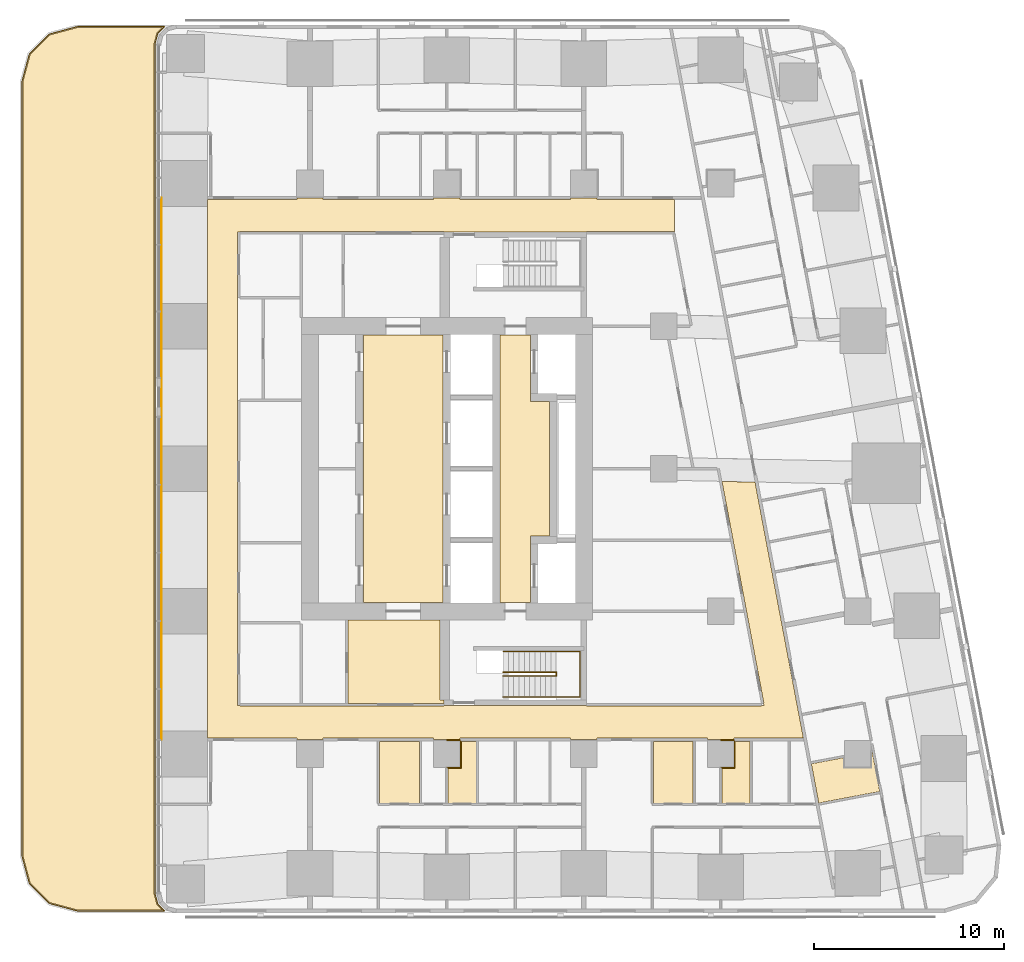
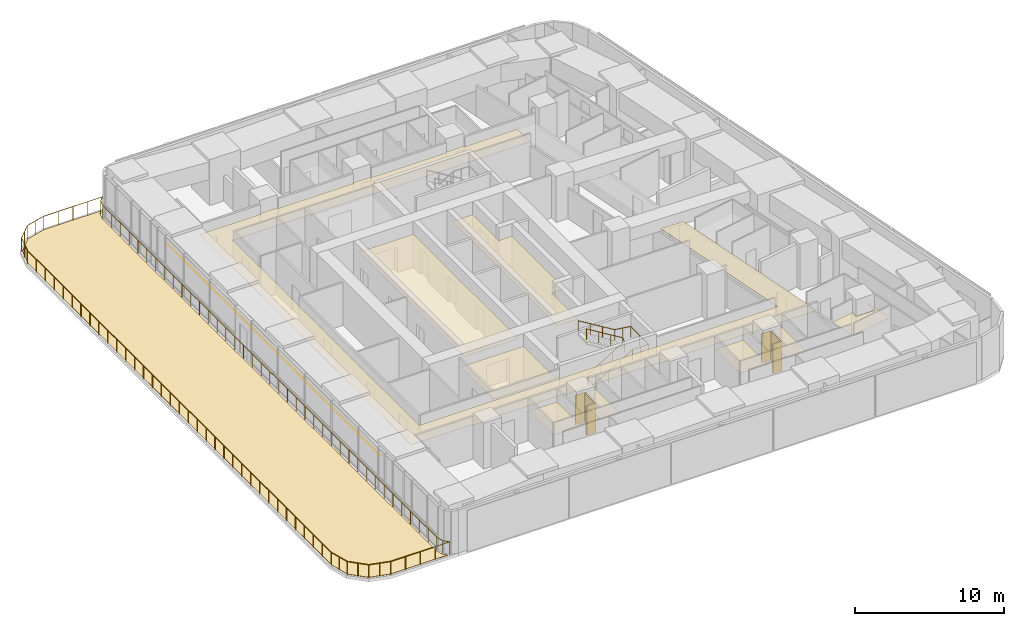
# One storey, part 16 of 17: 13 coverings, 3 railings.
"""IFC4 building model written with IfcOpenShell, lengths in metres."""

from ifc_helpers import new_model, si_unit, direction, frame, origin, origin_2d, place, context, subcontext, project, spatial, polyline, circle, outline, extrude, material, layer, layer_set, type_object, element, save


model = new_model("IFC4")

# Units and contexts
model_context = context("Model", 3, precision=1e-05, world=origin(), true_north=direction((0.0, 1.0)))
body_context = subcontext(model_context, "Body", "Model", "MODEL_VIEW")
ifc_project = project(units=[si_unit("LENGTHUNIT", "METRE"), si_unit("AREAUNIT", "SQUARE_METRE"), si_unit("VOLUMEUNIT", "CUBIC_METRE"), si_unit("PLANEANGLEUNIT", "RADIAN"), si_unit("MASSUNIT", "GRAM", prefix="KILO")], contexts=[model_context])

# Site, building, storey
site_placement = place(None, origin())
site = spatial("IfcSite", under=ifc_project, at=site_placement, CompositionType="ELEMENT")
building_placement = place(site_placement, origin())
building = spatial("IfcBuilding", under=site, at=building_placement, Name="Sheger Commons Tower", CompositionType="ELEMENT")
storey_placement = place(building_placement, frame((0.0, 0.0, 193.699951171875)))
storey = spatial("IfcBuildingStorey", under=building, at=storey_placement, Name="L49", CompositionType="ELEMENT", Elevation=193.699951171875)

# Railings
ifc_material_1 = material(Name="Black steel guard with glass infill", Category="steel")
railing_type_1 = type_object("IfcRailingType", Name="GUARD 1100", PredefinedType="GUARDRAIL", material=ifc_material_1)
railing_1_placement = place(storey_placement, frame((2.1630859375, -0.75, 0.0)))
element("IfcRailing", 1, at=railing_1_placement, inside=storey, type_object=railing_type_1, Name="Terrace guard L49", PredefinedType="GUARDRAIL", context=body_context, shape_type="SweptSolid", body=[
    extrude(circle(Radius=0.02392578125, at=origin_2d()), frame((0.0, 0.0, 1.0771484375), z_axis=(-0.965832000415, 0.259168954497, 0.0), x_axis=(-0.259168954497, -0.965832000415, 0.0)), (0.0, 0.0, 1.0), 1.512939453125),
    extrude(circle(Radius=0.02392578125, at=origin_2d()), frame((-1.461181640625, 0.39208984375, 1.0771484375), z_axis=(-0.707106781187, 0.707106781187, 0.0), x_axis=(-0.707106781187, -0.707106781187, 0.0)), (0.0, 0.0, 1.0), 1.498779296875),
    extrude(circle(Radius=0.02392578125, at=origin_2d()), frame((-2.52099609375, 1.451904296875, 1.0771484375), z_axis=(-0.259168954497, 0.965832000415, 0.0), x_axis=(-0.965832000415, -0.259168954497, 0.0)), (0.0, 0.0, 1.0), 1.512939453125),
    extrude(circle(Radius=0.02392578125, at=origin_2d()), frame((-2.9130859375, 2.9130859375, 1.0771484375), z_axis=(0.0, 1.0, 0.0), x_axis=(-1.0, 0.0, 0.0)), (0.0, 0.0, 1.0), 40.673828125),
    extrude(circle(Radius=0.02392578125, at=origin_2d()), frame((-2.9130859375, 43.5869140625, 1.0771484375), z_axis=(0.259168954497, 0.965832000415, 0.0), x_axis=(-0.965832000415, 0.259168954497, 0.0)), (0.0, 0.0, 1.0), 1.512939453125),
    extrude(circle(Radius=0.02392578125, at=origin_2d()), frame((-2.52099609375, 45.048095703125, 1.0771484375), z_axis=(0.707106781187, 0.707106781187, 0.0), x_axis=(-0.707106781187, 0.707106781187, 0.0)), (0.0, 0.0, 1.0), 1.498779296875),
    extrude(circle(Radius=0.02392578125, at=origin_2d()), frame((-1.461181640625, 46.10791015625, 1.0771484375), z_axis=(0.965832000415, 0.259168954497, 0.0), x_axis=(-0.259168954497, 0.965832000415, 0.0)), (0.0, 0.0, 1.0), 1.512939453125),
    extrude(circle(Radius=0.02392578125, at=origin_2d()), frame((0.0, 46.5, 1.0771484375), z_axis=(1.0, 0.0, 0.0), x_axis=(0.0, 1.0, 0.0)), (0.0, 0.0, 1.0), 4.579833984375),
    extrude(circle(Radius=0.02392578125, at=origin_2d()), frame((4.579833984375, 46.5, 1.0771484375), z_axis=(-0.70809712536, -0.706115048032, 0.0), x_axis=(0.706115048032, -0.70809712536, 0.0)), (0.0, 0.0, 1.0), 0.49267578125),
    extrude(circle(Radius=0.02392578125, at=origin_2d()), frame((4.23095703125, 46.152099609375, 1.0771484375), z_axis=(-0.258152815448, -0.966104095777, 0.0), x_axis=(0.966104095777, -0.258152815448, 0.0)), (0.0, 0.0, 1.0), 0.557861328125),
    extrude(circle(Radius=0.02392578125, at=origin_2d()), frame((4.0869140625, 45.613037109375, 1.0771484375), z_axis=(0.0, -1.0, 0.0), x_axis=(1.0, 0.0, 0.0)), (0.0, 0.0, 1.0), 44.72607421875),
    extrude(circle(Radius=0.02392578125, at=origin_2d()), frame((4.0869140625, 0.886962890625, 1.0771484375), z_axis=(0.258152815448, -0.966104095777, 0.0), x_axis=(0.966104095777, 0.258152815448, 0.0)), (0.0, 0.0, 1.0), 0.557861328125),
    extrude(circle(Radius=0.02392578125, at=origin_2d()), frame((4.23095703125, 0.347900390625, 1.0771484375), z_axis=(0.70809712536, -0.706115048032, 0.0), x_axis=(0.706115048032, 0.70809712536, 0.0)), (0.0, 0.0, 1.0), 0.49267578125),
    extrude(circle(Radius=0.02392578125, at=origin_2d()), frame((4.579833984375, 0.0, 1.0771484375), z_axis=(-1.0, 0.0, 0.0), x_axis=(0.0, -1.0, 0.0)), (0.0, 0.0, 1.0), 4.579833984375),
    extrude(circle(Radius=0.02099609375, at=origin_2d()), origin(), (0.0, 0.0, 1.0), 1.052001953125),
    extrude(circle(Radius=0.02099609375, at=origin_2d()), frame((-0.73046875, 0.196044921875, 0.0)), (0.0, 0.0, 1.0), 1.052001953125),
    extrude(circle(Radius=0.02099609375, at=origin_2d()), frame((-1.461181640625, 0.39208984375, 0.0)), (0.0, 0.0, 1.0), 1.052001953125),
    extrude(circle(Radius=0.02099609375, at=origin_2d()), frame((-1.9912109375, 0.921875, 0.0)), (0.0, 0.0, 1.0), 1.052001953125),
    extrude(circle(Radius=0.02099609375, at=origin_2d()), frame((-2.52099609375, 1.451904296875, 0.0)), (0.0, 0.0, 1.0), 1.052001953125),
    extrude(circle(Radius=0.02099609375, at=origin_2d()), frame((-2.717041015625, 2.1826171875, 0.0)), (0.0, 0.0, 1.0), 1.052001953125),
    extrude(circle(Radius=0.02099609375, at=origin_2d()), frame((-2.9130859375, 2.9130859375, 0.0)), (0.0, 0.0, 1.0), 1.052001953125),
    extrude(circle(Radius=0.02099609375, at=origin_2d()), frame((-2.9130859375, 4.109375, 0.0)), (0.0, 0.0, 1.0), 1.052001953125),
    extrude(circle(Radius=0.02099609375, at=origin_2d()), frame((-2.9130859375, 5.3056640625, 0.0)), (0.0, 0.0, 1.0), 1.052001953125),
    extrude(circle(Radius=0.02099609375, at=origin_2d()), frame((-2.9130859375, 6.501953125, 0.0)), (0.0, 0.0, 1.0), 1.052001953125),
    extrude(circle(Radius=0.02099609375, at=origin_2d()), frame((-2.9130859375, 7.6982421875, 0.0)), (0.0, 0.0, 1.0), 1.052001953125),
    extrude(circle(Radius=0.02099609375, at=origin_2d()), frame((-2.9130859375, 8.89453125, 0.0)), (0.0, 0.0, 1.0), 1.052001953125),
    extrude(circle(Radius=0.02099609375, at=origin_2d()), frame((-2.9130859375, 10.0908203125, 0.0)), (0.0, 0.0, 1.0), 1.052001953125),
    extrude(circle(Radius=0.02099609375, at=origin_2d()), frame((-2.9130859375, 11.287109375, 0.0)), (0.0, 0.0, 1.0), 1.052001953125),
    extrude(circle(Radius=0.02099609375, at=origin_2d()), frame((-2.9130859375, 12.4833984375, 0.0)), (0.0, 0.0, 1.0), 1.052001953125),
    extrude(circle(Radius=0.02099609375, at=origin_2d()), frame((-2.9130859375, 13.6796875, 0.0)), (0.0, 0.0, 1.0), 1.052001953125),
    extrude(circle(Radius=0.02099609375, at=origin_2d()), frame((-2.9130859375, 14.8759765625, 0.0)), (0.0, 0.0, 1.0), 1.052001953125),
    extrude(circle(Radius=0.02099609375, at=origin_2d()), frame((-2.9130859375, 16.072265625, 0.0)), (0.0, 0.0, 1.0), 1.052001953125),
    extrude(circle(Radius=0.02099609375, at=origin_2d()), frame((-2.9130859375, 17.2685546875, 0.0)), (0.0, 0.0, 1.0), 1.052001953125),
    extrude(circle(Radius=0.02099609375, at=origin_2d()), frame((-2.9130859375, 18.46484375, 0.0)), (0.0, 0.0, 1.0), 1.052001953125),
    extrude(circle(Radius=0.02099609375, at=origin_2d()), frame((-2.9130859375, 19.6611328125, 0.0)), (0.0, 0.0, 1.0), 1.052001953125),
    extrude(circle(Radius=0.02099609375, at=origin_2d()), frame((-2.9130859375, 20.857421875, 0.0)), (0.0, 0.0, 1.0), 1.052001953125),
    extrude(circle(Radius=0.02099609375, at=origin_2d()), frame((-2.9130859375, 22.0537109375, 0.0)), (0.0, 0.0, 1.0), 1.052001953125),
    extrude(circle(Radius=0.02099609375, at=origin_2d()), frame((-2.9130859375, 23.25, 0.0)), (0.0, 0.0, 1.0), 1.052001953125),
    extrude(circle(Radius=0.02099609375, at=origin_2d()), frame((-2.9130859375, 24.4462890625, 0.0)), (0.0, 0.0, 1.0), 1.052001953125),
    extrude(circle(Radius=0.02099609375, at=origin_2d()), frame((-2.9130859375, 25.642578125, 0.0)), (0.0, 0.0, 1.0), 1.052001953125),
    extrude(circle(Radius=0.02099609375, at=origin_2d()), frame((-2.9130859375, 26.8388671875, 0.0)), (0.0, 0.0, 1.0), 1.052001953125),
    extrude(circle(Radius=0.02099609375, at=origin_2d()), frame((-2.9130859375, 28.03515625, 0.0)), (0.0, 0.0, 1.0), 1.052001953125),
    extrude(circle(Radius=0.02099609375, at=origin_2d()), frame((-2.9130859375, 29.2314453125, 0.0)), (0.0, 0.0, 1.0), 1.052001953125),
    extrude(circle(Radius=0.02099609375, at=origin_2d()), frame((-2.9130859375, 30.427734375, 0.0)), (0.0, 0.0, 1.0), 1.052001953125),
    extrude(circle(Radius=0.02099609375, at=origin_2d()), frame((-2.9130859375, 31.6240234375, 0.0)), (0.0, 0.0, 1.0), 1.052001953125),
    extrude(circle(Radius=0.02099609375, at=origin_2d()), frame((-2.9130859375, 32.8203125, 0.0)), (0.0, 0.0, 1.0), 1.052001953125),
    extrude(circle(Radius=0.02099609375, at=origin_2d()), frame((-2.9130859375, 34.0166015625, 0.0)), (0.0, 0.0, 1.0), 1.052001953125),
    extrude(circle(Radius=0.02099609375, at=origin_2d()), frame((-2.9130859375, 35.212890625, 0.0)), (0.0, 0.0, 1.0), 1.052001953125),
    extrude(circle(Radius=0.02099609375, at=origin_2d()), frame((-2.9130859375, 36.4091796875, 0.0)), (0.0, 0.0, 1.0), 1.052001953125),
    extrude(circle(Radius=0.02099609375, at=origin_2d()), frame((-2.9130859375, 37.60546875, 0.0)), (0.0, 0.0, 1.0), 1.052001953125),
    extrude(circle(Radius=0.02099609375, at=origin_2d()), frame((-2.9130859375, 38.8017578125, 0.0)), (0.0, 0.0, 1.0), 1.052001953125),
    extrude(circle(Radius=0.02099609375, at=origin_2d()), frame((-2.9130859375, 39.998046875, 0.0)), (0.0, 0.0, 1.0), 1.052001953125),
    extrude(circle(Radius=0.02099609375, at=origin_2d()), frame((-2.9130859375, 41.1943359375, 0.0)), (0.0, 0.0, 1.0), 1.052001953125),
    extrude(circle(Radius=0.02099609375, at=origin_2d()), frame((-2.9130859375, 42.390625, 0.0)), (0.0, 0.0, 1.0), 1.052001953125),
    extrude(circle(Radius=0.02099609375, at=origin_2d()), frame((-2.9130859375, 43.5869140625, 0.0)), (0.0, 0.0, 1.0), 1.052001953125),
    extrude(circle(Radius=0.02099609375, at=origin_2d()), frame((-2.717041015625, 44.3173828125, 0.0)), (0.0, 0.0, 1.0), 1.052001953125),
    extrude(circle(Radius=0.02099609375, at=origin_2d()), frame((-2.52099609375, 45.048095703125, 0.0)), (0.0, 0.0, 1.0), 1.052001953125),
    extrude(circle(Radius=0.02099609375, at=origin_2d()), frame((-1.9912109375, 45.578125, 0.0)), (0.0, 0.0, 1.0), 1.052001953125),
    extrude(circle(Radius=0.02099609375, at=origin_2d()), frame((-1.461181640625, 46.10791015625, 0.0)), (0.0, 0.0, 1.0), 1.052001953125),
    extrude(circle(Radius=0.02099609375, at=origin_2d()), frame((-0.73046875, 46.303955078125, 0.0)), (0.0, 0.0, 1.0), 1.052001953125),
    extrude(circle(Radius=0.02099609375, at=origin_2d()), frame((0.0, 46.5, 0.0)), (0.0, 0.0, 1.0), 1.052001953125),
    extrude(circle(Radius=0.02099609375, at=origin_2d()), frame((1.14501953125, 46.5, 0.0)), (0.0, 0.0, 1.0), 1.052001953125),
    extrude(circle(Radius=0.02099609375, at=origin_2d()), frame((2.2900390625, 46.5, 0.0)), (0.0, 0.0, 1.0), 1.052001953125),
    extrude(circle(Radius=0.02099609375, at=origin_2d()), frame((3.434814453125, 46.5, 0.0)), (0.0, 0.0, 1.0), 1.052001953125),
    extrude(circle(Radius=0.02099609375, at=origin_2d()), frame((4.579833984375, 46.5, 0.0)), (0.0, 0.0, 1.0), 1.052001953125),
    extrude(circle(Radius=0.02099609375, at=origin_2d()), frame((4.23095703125, 46.152099609375, 0.0)), (0.0, 0.0, 1.0), 1.052001953125),
    extrude(circle(Radius=0.02099609375, at=origin_2d()), frame((4.0869140625, 45.613037109375, 0.0)), (0.0, 0.0, 1.0), 1.052001953125),
    extrude(circle(Radius=0.02099609375, at=origin_2d()), frame((4.0869140625, 44.43603515625, 0.0)), (0.0, 0.0, 1.0), 1.052001953125),
    extrude(circle(Radius=0.02099609375, at=origin_2d()), frame((4.0869140625, 43.259033203125, 0.0)), (0.0, 0.0, 1.0), 1.052001953125),
    extrude(circle(Radius=0.02099609375, at=origin_2d()), frame((4.0869140625, 42.08203125, 0.0)), (0.0, 0.0, 1.0), 1.052001953125),
    extrude(circle(Radius=0.02099609375, at=origin_2d()), frame((4.0869140625, 40.905029296875, 0.0)), (0.0, 0.0, 1.0), 1.052001953125),
    extrude(circle(Radius=0.02099609375, at=origin_2d()), frame((4.0869140625, 39.72802734375, 0.0)), (0.0, 0.0, 1.0), 1.052001953125),
    extrude(circle(Radius=0.02099609375, at=origin_2d()), frame((4.0869140625, 38.551025390625, 0.0)), (0.0, 0.0, 1.0), 1.052001953125),
    extrude(circle(Radius=0.02099609375, at=origin_2d()), frame((4.0869140625, 37.3740234375, 0.0)), (0.0, 0.0, 1.0), 1.052001953125),
    extrude(circle(Radius=0.02099609375, at=origin_2d()), frame((4.0869140625, 36.197021484375, 0.0)), (0.0, 0.0, 1.0), 1.052001953125),
    extrude(circle(Radius=0.02099609375, at=origin_2d()), frame((4.0869140625, 35.02001953125, 0.0)), (0.0, 0.0, 1.0), 1.052001953125),
    extrude(circle(Radius=0.02099609375, at=origin_2d()), frame((4.0869140625, 33.843017578125, 0.0)), (0.0, 0.0, 1.0), 1.052001953125),
    extrude(circle(Radius=0.02099609375, at=origin_2d()), frame((4.0869140625, 32.666015625, 0.0)), (0.0, 0.0, 1.0), 1.052001953125),
    extrude(circle(Radius=0.02099609375, at=origin_2d()), frame((4.0869140625, 31.489013671875, 0.0)), (0.0, 0.0, 1.0), 1.052001953125),
    extrude(circle(Radius=0.02099609375, at=origin_2d()), frame((4.0869140625, 30.31201171875, 0.0)), (0.0, 0.0, 1.0), 1.052001953125),
    extrude(circle(Radius=0.02099609375, at=origin_2d()), frame((4.0869140625, 29.135009765625, 0.0)), (0.0, 0.0, 1.0), 1.052001953125),
    extrude(circle(Radius=0.02099609375, at=origin_2d()), frame((4.0869140625, 27.9580078125, 0.0)), (0.0, 0.0, 1.0), 1.052001953125),
    extrude(circle(Radius=0.02099609375, at=origin_2d()), frame((4.0869140625, 26.781005859375, 0.0)), (0.0, 0.0, 1.0), 1.052001953125),
    extrude(circle(Radius=0.02099609375, at=origin_2d()), frame((4.0869140625, 25.60400390625, 0.0)), (0.0, 0.0, 1.0), 1.052001953125),
    extrude(circle(Radius=0.02099609375, at=origin_2d()), frame((4.0869140625, 24.427001953125, 0.0)), (0.0, 0.0, 1.0), 1.052001953125),
    extrude(circle(Radius=0.02099609375, at=origin_2d()), frame((4.0869140625, 23.25, 0.0)), (0.0, 0.0, 1.0), 1.052001953125),
    extrude(circle(Radius=0.02099609375, at=origin_2d()), frame((4.0869140625, 22.072998046875, 0.0)), (0.0, 0.0, 1.0), 1.052001953125),
    extrude(circle(Radius=0.02099609375, at=origin_2d()), frame((4.0869140625, 20.89599609375, 0.0)), (0.0, 0.0, 1.0), 1.052001953125),
    extrude(circle(Radius=0.02099609375, at=origin_2d()), frame((4.0869140625, 19.718994140625, 0.0)), (0.0, 0.0, 1.0), 1.052001953125),
    extrude(circle(Radius=0.02099609375, at=origin_2d()), frame((4.0869140625, 18.5419921875, 0.0)), (0.0, 0.0, 1.0), 1.052001953125),
    extrude(circle(Radius=0.02099609375, at=origin_2d()), frame((4.0869140625, 17.364990234375, 0.0)), (0.0, 0.0, 1.0), 1.052001953125),
    extrude(circle(Radius=0.02099609375, at=origin_2d()), frame((4.0869140625, 16.18798828125, 0.0)), (0.0, 0.0, 1.0), 1.052001953125),
    extrude(circle(Radius=0.02099609375, at=origin_2d()), frame((4.0869140625, 15.010986328125, 0.0)), (0.0, 0.0, 1.0), 1.052001953125),
    extrude(circle(Radius=0.02099609375, at=origin_2d()), frame((4.0869140625, 13.833984375, 0.0)), (0.0, 0.0, 1.0), 1.052001953125),
    extrude(circle(Radius=0.02099609375, at=origin_2d()), frame((4.0869140625, 12.656982421875, 0.0)), (0.0, 0.0, 1.0), 1.052001953125),
    extrude(circle(Radius=0.02099609375, at=origin_2d()), frame((4.0869140625, 11.47998046875, 0.0)), (0.0, 0.0, 1.0), 1.052001953125),
    extrude(circle(Radius=0.02099609375, at=origin_2d()), frame((4.0869140625, 10.302978515625, 0.0)), (0.0, 0.0, 1.0), 1.052001953125),
    extrude(circle(Radius=0.02099609375, at=origin_2d()), frame((4.0869140625, 9.1259765625, 0.0)), (0.0, 0.0, 1.0), 1.052001953125),
    extrude(circle(Radius=0.02099609375, at=origin_2d()), frame((4.0869140625, 7.948974609375, 0.0)), (0.0, 0.0, 1.0), 1.052001953125),
    extrude(circle(Radius=0.02099609375, at=origin_2d()), frame((4.0869140625, 6.77197265625, 0.0)), (0.0, 0.0, 1.0), 1.052001953125),
    extrude(circle(Radius=0.02099609375, at=origin_2d()), frame((4.0869140625, 5.594970703125, 0.0)), (0.0, 0.0, 1.0), 1.052001953125),
    extrude(circle(Radius=0.02099609375, at=origin_2d()), frame((4.0869140625, 4.41796875, 0.0)), (0.0, 0.0, 1.0), 1.052001953125),
    extrude(circle(Radius=0.02099609375, at=origin_2d()), frame((4.0869140625, 3.240966796875, 0.0)), (0.0, 0.0, 1.0), 1.052001953125),
    extrude(circle(Radius=0.02099609375, at=origin_2d()), frame((4.0869140625, 2.06396484375, 0.0)), (0.0, 0.0, 1.0), 1.052001953125),
    extrude(circle(Radius=0.02099609375, at=origin_2d()), frame((4.0869140625, 0.886962890625, 0.0)), (0.0, 0.0, 1.0), 1.052001953125),
    extrude(circle(Radius=0.02099609375, at=origin_2d()), frame((4.23095703125, 0.347900390625, 0.0)), (0.0, 0.0, 1.0), 1.052001953125),
    extrude(circle(Radius=0.02099609375, at=origin_2d()), frame((4.579833984375, 0.0, 0.0)), (0.0, 0.0, 1.0), 1.052001953125),
    extrude(circle(Radius=0.02099609375, at=origin_2d()), frame((3.434814453125, 0.0, 0.0)), (0.0, 0.0, 1.0), 1.052001953125),
    extrude(circle(Radius=0.02099609375, at=origin_2d()), frame((2.2900390625, 0.0, 0.0)), (0.0, 0.0, 1.0), 1.052001953125),
    extrude(circle(Radius=0.02099609375, at=origin_2d()), frame((1.14501953125, 0.0, 0.0)), (0.0, 0.0, 1.0), 1.052001953125),
])
ifc_material_2 = material(Name="Steel handrail, black powder-coated", Category="steel")
railing_type_2 = type_object("IfcRailingType", Name="HANDRAIL 900", PredefinedType="HANDRAIL", material=ifc_material_2)
railing_2_placement = place(storey_placement, frame((24.550048828125, 11.60009765625, 0.17041015625)))
element("IfcRailing", 2, at=railing_2_placement, inside=storey, type_object=railing_type_2, Name="Stair S1 handrail L49", PredefinedType="HANDRAIL", context=body_context, shape_type="SweptSolid", body=[
    extrude(circle(Radius=0.02392578125, at=origin_2d()), frame((0.0, 0.0, 0.8759765625), z_axis=(0.854169791009, 0.0, 0.51999420009), x_axis=(0.0, 1.0, 0.0)), (0.0, 0.0, 1.0), 3.278076171875),
    extrude(circle(Radius=0.02392578125, at=origin_2d()), frame((2.800048828125, 0.0, 2.58056640625), z_axis=(0.0, 0.761090297175, 0.648645943136), x_axis=(-1.0, 0.0, 0.0)), (0.0, 0.0, 1.0), 0.2626953125),
    extrude(circle(Radius=0.02392578125, at=origin_2d()), frame((2.800048828125, 0.199951171875, 2.7509765625), z_axis=(-0.854169791009, 0.0, 0.51999420009), x_axis=(0.0, -1.0, 0.0)), (0.0, 0.0, 1.0), 3.278076171875),
    extrude(circle(Radius=0.02099609375, at=origin_2d()), origin(), (0.0, 0.0, 1.0), 0.851806640625),
    extrude(circle(Radius=0.02099609375, at=origin_2d()), frame((0.933349609375, 0.0, 0.568115234375)), (0.0, 0.0, 1.0), 0.851806640625),
    extrude(circle(Radius=0.02099609375, at=origin_2d()), frame((1.86669921875, 0.0, 1.136474609375)), (0.0, 0.0, 1.0), 0.851806640625),
    extrude(circle(Radius=0.02099609375, at=origin_2d()), frame((2.800048828125, 0.0, 1.70458984375)), (0.0, 0.0, 1.0), 0.851806640625),
    extrude(circle(Radius=0.02099609375, at=origin_2d()), frame((2.800048828125, 0.199951171875, 1.875)), (0.0, 0.0, 1.0), 0.851806640625),
    extrude(circle(Radius=0.02099609375, at=origin_2d()), frame((1.86669921875, 0.199951171875, 2.443115234375)), (0.0, 0.0, 1.0), 0.851806640625),
    extrude(circle(Radius=0.02099609375, at=origin_2d()), frame((0.933349609375, 0.199951171875, 3.011474609375)), (0.0, 0.0, 1.0), 0.851806640625),
    extrude(circle(Radius=0.02099609375, at=origin_2d()), frame((0.0, 0.199951171875, 3.57958984375)), (0.0, 0.0, 1.0), 0.851806640625),
])
railing_3_placement = place(storey_placement, frame((24.550048828125, 10.5, 0.17041015625)))
element("IfcRailing", 3, at=railing_3_placement, inside=storey, type_object=railing_type_2, Name="Stair S1 handrail L49", PredefinedType="HANDRAIL", context=body_context, shape_type="SweptSolid", body=[
    extrude(circle(Radius=0.02392578125, at=origin_2d()), frame((0.0, 0.0, 0.8759765625), z_axis=(0.854169791009, 0.0, 0.51999420009), x_axis=(0.0, 1.0, 0.0)), (0.0, 0.0, 1.0), 3.278076171875),
    extrude(circle(Radius=0.02392578125, at=origin_2d()), frame((2.800048828125, 0.0, 2.58056640625), z_axis=(1.0, 0.0, 0.0), x_axis=(0.0, 1.0, 0.0)), (0.0, 0.0, 1.0), 1.25),
    extrude(circle(Radius=0.02392578125, at=origin_2d()), frame((4.050048828125, 0.0, 2.58056640625), z_axis=(0.0, 1.0, 0.0), x_axis=(-1.0, 0.0, 0.0)), (0.0, 0.0, 1.0), 2.39990234375),
    extrude(circle(Radius=0.02392578125, at=origin_2d()), frame((4.050048828125, 2.39990234375, 2.58056640625), z_axis=(-0.990834877927, 0.0, 0.135078661092), x_axis=(0.0, -1.0, 0.0)), (0.0, 0.0, 1.0), 1.261474609375),
    extrude(circle(Radius=0.02392578125, at=origin_2d()), frame((2.800048828125, 2.39990234375, 2.7509765625), z_axis=(-0.854169791009, 0.0, 0.51999420009), x_axis=(0.0, -1.0, 0.0)), (0.0, 0.0, 1.0), 3.278076171875),
    extrude(circle(Radius=0.02099609375, at=origin_2d()), origin(), (0.0, 0.0, 1.0), 0.851806640625),
    extrude(circle(Radius=0.02099609375, at=origin_2d()), frame((0.933349609375, 0.0, 0.568115234375)), (0.0, 0.0, 1.0), 0.851806640625),
    extrude(circle(Radius=0.02099609375, at=origin_2d()), frame((1.86669921875, 0.0, 1.136474609375)), (0.0, 0.0, 1.0), 0.851806640625),
    extrude(circle(Radius=0.02099609375, at=origin_2d()), frame((2.800048828125, 0.0, 1.70458984375)), (0.0, 0.0, 1.0), 0.851806640625),
    extrude(circle(Radius=0.02099609375, at=origin_2d()), frame((3.425048828125, 0.0, 1.70458984375)), (0.0, 0.0, 1.0), 0.851806640625),
    extrude(circle(Radius=0.02099609375, at=origin_2d()), frame((4.050048828125, 0.0, 1.70458984375)), (0.0, 0.0, 1.0), 0.851806640625),
    extrude(circle(Radius=0.02099609375, at=origin_2d()), frame((4.050048828125, 1.199951171875, 1.70458984375)), (0.0, 0.0, 1.0), 0.851806640625),
    extrude(circle(Radius=0.02099609375, at=origin_2d()), frame((4.050048828125, 2.39990234375, 1.70458984375)), (0.0, 0.0, 1.0), 0.851806640625),
    extrude(circle(Radius=0.02099609375, at=origin_2d()), frame((3.425048828125, 2.39990234375, 1.789794921875)), (0.0, 0.0, 1.0), 0.851806640625),
    extrude(circle(Radius=0.02099609375, at=origin_2d()), frame((2.800048828125, 2.39990234375, 1.875)), (0.0, 0.0, 1.0), 0.851806640625),
    extrude(circle(Radius=0.02099609375, at=origin_2d()), frame((1.86669921875, 2.39990234375, 2.443115234375)), (0.0, 0.0, 1.0), 0.851806640625),
    extrude(circle(Radius=0.02099609375, at=origin_2d()), frame((0.933349609375, 2.39990234375, 3.011474609375)), (0.0, 0.0, 1.0), 0.851806640625),
    extrude(circle(Radius=0.02099609375, at=origin_2d()), frame((0.0, 2.39990234375, 3.57958984375)), (0.0, 0.0, 1.0), 0.851806640625),
])

# Coverings
ifc_material_3 = material(Name="Moisture-resistant gypsum plasterboard 15 mm on a suspended galvanised steel grid", Category="steel")
ifc_layer_1 = layer(ifc_material_3, 0.014892578125)
ifc_layer_set_1 = layer_set([ifc_layer_1], Name="MOISTURE-RESISTANT CEILING 15")
covering_type_1 = type_object("IfcCoveringType", Name="MOISTURE-RESISTANT CEILING 15", PredefinedType="CEILING", material=ifc_layer_set_1)
covering_1_placement = place(storey_placement, frame((0.0, 0.0, 2.400146484375)))
element("IfcCovering", 4, at=covering_1_placement, inside=storey, type_object=covering_type_1, Name="L49-02.B1 ceiling", PredefinedType="CEILING", context=body_context, shape_type="SweptSolid", body=[
    extrude(outline(polyline([(18.054931640625, 4.905029296875), (20.155029296875, 4.905029296875), (20.155029296875, 8.169921875), (18.054931640625, 8.169921875), (18.054931640625, 4.905029296875)])), origin(), (0.0, 0.0, 1.0), 0.014892578125),
])
covering_2_placement = place(storey_placement, frame((0.0, 0.0, 2.400146484375)))
element("IfcCovering", 5, at=covering_2_placement, inside=storey, type_object=covering_type_1, Name="L49-02.B2 ceiling", PredefinedType="CEILING", context=body_context, shape_type="SweptSolid", body=[
    extrude(outline(polyline([(21.655029296875, 4.905029296875), (23.14501953125, 4.905029296875), (23.14501953125, 8.169921875), (22.304931640625, 8.169921875), (22.304931640625, 6.794921875), (21.655029296875, 6.794921875), (21.655029296875, 4.905029296875)])), origin(), (0.0, 0.0, 1.0), 0.014892578125),
])
covering_3_placement = place(storey_placement, frame((0.0, 0.0, 2.400146484375)))
element("IfcCovering", 6, at=covering_3_placement, inside=storey, type_object=covering_type_1, Name="L49-03.B1 ceiling", PredefinedType="CEILING", context=body_context, shape_type="SweptSolid", body=[
    extrude(outline(polyline([(32.455078125, 4.905029296875), (34.554931640625, 4.905029296875), (34.554931640625, 8.169921875), (32.455078125, 8.169921875), (32.455078125, 4.905029296875)])), origin(), (0.0, 0.0, 1.0), 0.014892578125),
])
covering_4_placement = place(storey_placement, frame((0.0, 0.0, 2.400146484375)))
element("IfcCovering", 7, at=covering_4_placement, inside=storey, type_object=covering_type_1, Name="L49-03.B2 ceiling", PredefinedType="CEILING", context=body_context, shape_type="SweptSolid", body=[
    extrude(outline(polyline([(36.054931640625, 4.905029296875), (37.544921875, 4.905029296875), (37.544921875, 8.169921875), (36.705078125, 8.169921875), (36.705078125, 6.794921875), (36.054931640625, 6.794921875), (36.054931640625, 4.905029296875)])), origin(), (0.0, 0.0, 1.0), 0.014892578125),
])
covering_5_placement = place(storey_placement, frame((0.0, 0.0, 2.400146484375)))
element("IfcCovering", 8, at=covering_5_placement, inside=storey, type_object=covering_type_1, Name="L49-06.B1 ceiling", PredefinedType="CEILING", context=body_context, shape_type="SweptSolid", body=[
    extrude(outline(polyline([(41.156005859375, 4.9208984375), (44.364013671875, 5.527099609375), (43.97412109375, 7.591064453125), (43.9150390625, 7.580078125), (43.906982421875, 7.623046875), (43.905029296875, 7.623046875), (43.905029296875, 6.794921875), (42.4951171875, 6.794921875), (42.4951171875, 7.31201171875), (40.76611328125, 6.985107421875), (41.156005859375, 4.9208984375)])), origin(), (0.0, 0.0, 1.0), 0.014892578125),
])
ifc_material_4 = material(Name="Gypsum plasterboard 15 mm on a suspended steel grid", Category="steel")
ifc_layer_2 = layer(ifc_material_4, 0.014892578125)
ifc_layer_set_2 = layer_set([ifc_layer_2], Name="SUSPENDED CEILING 15")
covering_type_2 = type_object("IfcCoveringType", Name="SUSPENDED CEILING 15", PredefinedType="CEILING", material=ifc_layer_set_2)
covering_6_placement = place(storey_placement, frame((0.0, 0.0, 2.699951171875)))
element("IfcCovering", 9, at=covering_6_placement, inside=storey, type_object=covering_type_2, Name="L49-CO ceiling", PredefinedType="CEILING", context=body_context, shape_type="SweptSolid", body=[
    extrude(outline(polyline([(6.554931640625, 8.25), (6.594970703125, 8.25), (6.594970703125, 36.75), (6.554931640625, 36.75), (6.554931640625, 8.25)])), origin(), (0.0, 0.0, 1.0), 0.01513671875),
])
covering_7_placement = place(storey_placement, frame((0.0, 0.0, 2.699951171875)))
element("IfcCovering", 10, at=covering_7_placement, inside=storey, type_object=covering_type_2, Name="L49-CO ceiling", PredefinedType="CEILING", context=body_context, shape_type="SweptSolid", body=[
    extrude(outline(polyline([(13.7041015625, 8.25), (15.095947265625, 8.25), (15.095947265625, 8.330078125), (20.904052734375, 8.330078125), (20.904052734375, 8.25), (22.2958984375, 8.25), (22.2958984375, 8.330078125), (28.10400390625, 8.330078125), (28.10400390625, 8.25), (29.49609375, 8.25), (29.49609375, 8.330078125), (35.303955078125, 8.330078125), (35.303955078125, 8.25), (36.696044921875, 8.25), (36.696044921875, 8.330078125), (40.34912109375, 8.330078125), (37.804931640625, 21.798095703125), (36.06591796875, 21.8330078125), (38.26904296875, 10.1708984375), (38.251953125, 10.1669921875), (38.27392578125, 10.050048828125), (38.14306640625, 10.050048828125), (38.14306640625, 10.031982421875), (28.945068359375, 10.031982421875), (28.945068359375, 10.044921875), (21.455078125, 10.044921875), (21.455078125, 10.031982421875), (10.7080078125, 10.031982421875), (10.7080078125, 10.044921875), (10.58203125, 10.044921875), (10.58203125, 26.10498046875), (10.60009765625, 26.10498046875), (10.60009765625, 31.4951171875), (10.58203125, 31.4951171875), (10.58203125, 34.955078125), (10.7080078125, 34.955078125), (10.7080078125, 34.968017578125), (21.455078125, 34.968017578125), (21.455078125, 34.949951171875), (28.945068359375, 34.949951171875), (28.945068359375, 34.968017578125), (33.54296875, 34.968017578125), (33.54296875, 34.949951171875), (33.568115234375, 34.949951171875), (33.568115234375, 36.669921875), (29.49609375, 36.669921875), (29.49609375, 36.75), (28.10400390625, 36.75), (28.10400390625, 36.669921875), (22.2958984375, 36.669921875), (22.2958984375, 36.75), (20.904052734375, 36.75), (20.904052734375, 36.669921875), (15.095947265625, 36.669921875), (15.095947265625, 36.75), (13.7041015625, 36.75), (13.7041015625, 36.669921875), (9.0048828125, 36.669921875), (9.0048828125, 8.330078125), (13.7041015625, 8.330078125), (13.7041015625, 8.25)])), origin(), (0.0, 0.0, 1.0), 0.01513671875),
])
covering_8_placement = place(storey_placement, frame((0.0, 0.0, 2.699951171875)))
element("IfcCovering", 11, at=covering_8_placement, inside=storey, type_object=covering_type_2, Name="L49-SVS1 ceiling", PredefinedType="CEILING", context=body_context, shape_type="SweptSolid", body=[
    extrude(outline(polyline([(16.406982421875, 10.16796875), (21.445068359375, 10.16796875), (21.445068359375, 10.344970703125), (21.2451171875, 10.344970703125), (21.2451171875, 14.544921875), (16.406982421875, 14.544921875), (16.406982421875, 10.16796875)])), origin(), (0.0, 0.0, 1.0), 0.01513671875),
])
covering_9_placement = place(storey_placement, frame((0.0, 0.0, 2.699951171875)))
element("IfcCovering", 12, at=covering_9_placement, inside=storey, type_object=covering_type_2, Name="L49-LL ceiling", PredefinedType="CEILING", context=body_context, shape_type="SweptSolid", body=[
    extrude(outline(polyline([(17.205078125, 15.455078125), (21.39990234375, 15.455078125), (21.39990234375, 29.544921875), (17.205078125, 29.544921875), (17.205078125, 15.455078125)])), origin(), (0.0, 0.0, 1.0), 0.01513671875),
])
covering_10_placement = place(storey_placement, frame((0.0, 0.0, 2.699951171875)))
element("IfcCovering", 13, at=covering_10_placement, inside=storey, type_object=covering_type_2, Name="L49-FL ceiling", PredefinedType="CEILING", context=body_context, shape_type="SweptSolid", body=[
    extrude(outline(polyline([(24.405029296875, 15.455078125), (25.9951171875, 15.455078125), (25.9951171875, 18.955078125), (26.9951171875, 18.955078125), (26.9951171875, 26.044921875), (25.9951171875, 26.044921875), (25.9951171875, 29.544921875), (24.405029296875, 29.544921875), (24.405029296875, 15.455078125)])), origin(), (0.0, 0.0, 1.0), 0.01513671875),
])
ifc_material_5 = material(Name="Porcelain paving tiles on a liquid-applied polyurethane waterproofing membrane")
ifc_layer_3 = layer(ifc_material_5, 0.014892578125)
ifc_layer_set_3 = layer_set([ifc_layer_3], Name="TERRACE TILING 15")
covering_type_3 = type_object("IfcCoveringType", Name="TERRACE TILING 15", PredefinedType="ROOFING", material=ifc_layer_set_3)
covering_11_placement = place(storey_placement, origin())
element("IfcCovering", 14, at=covering_11_placement, inside=storey, type_object=covering_type_3, Name="Roof terrace terrace finish", PredefinedType="ROOFING", context=body_context, shape_type="SweptSolid", body=[
    extrude(outline(polyline([(2.1689453125, -0.705078125), (6.634033203125, -0.705078125), (6.35400390625, -0.425048828125), (6.205078125, 0.131103515625), (6.205078125, 44.868896484375), (6.35400390625, 45.425048828125), (6.634033203125, 45.705078125), (2.1689453125, 45.705078125), (0.72509765625, 45.318115234375), (-0.318115234375, 44.27490234375), (-0.705078125, 42.8310546875), (-0.705078125, 2.1689453125), (-0.318115234375, 0.72509765625), (0.72509765625, -0.318115234375), (2.1689453125, -0.705078125)])), origin(), (0.0, 0.0, 1.0), 0.01513671875),
])
ifc_material_6 = material(Name="Moisture-resistant gypsum board 12.5 mm on 25 mm treated timber battens, tanked and tiled", Category="wood")
ifc_layer_4 = layer(ifc_material_6, 0.050048828125)
ifc_layer_set_4 = layer_set([ifc_layer_4], Name="WET-ROOM COLUMN LINING")
covering_type_4 = type_object("IfcCoveringType", Name="WET-ROOM COLUMN LINING", PredefinedType="CLADDING", material=ifc_layer_set_4)
covering_12_placement = place(storey_placement, origin())
element("IfcCovering", 15, at=covering_12_placement, inside=storey, type_object=covering_type_4, Name="Shower room column lining C11 L49", PredefinedType="CLADDING", context=body_context, shape_type="SweptSolid", body=[
    extrude(outline(polyline([(22.35009765625, 6.75), (21.64990234375, 6.75), (21.64990234375, 6.799072265625), (21.60009765625, 6.799072265625), (21.60009765625, 6.800048828125), (22.300048828125, 6.800048828125), (22.300048828125, 8.199951171875), (21.60009765625, 8.199951171875), (21.60009765625, 8.25), (22.301025390625, 8.25), (22.301025390625, 8.175048828125), (22.35009765625, 8.175048828125), (22.35009765625, 6.75)])), origin(), (0.0, 0.0, 1.0), 2.400146484375),
])
covering_13_placement = place(storey_placement, origin())
element("IfcCovering", 16, at=covering_13_placement, inside=storey, type_object=covering_type_4, Name="Shower room column lining C11 L49", PredefinedType="CLADDING", context=body_context, shape_type="SweptSolid", body=[
    extrude(outline(polyline([(36.75, 6.75), (36.050048828125, 6.75), (36.050048828125, 6.799072265625), (36.0, 6.799072265625), (36.0, 6.800048828125), (36.699951171875, 6.800048828125), (36.699951171875, 8.199951171875), (36.0, 8.199951171875), (36.0, 8.25), (36.700927734375, 8.25), (36.700927734375, 8.175048828125), (36.75, 8.175048828125), (36.75, 6.75)])), origin(), (0.0, 0.0, 1.0), 2.400146484375),
])

save(model, "model.ifc")
